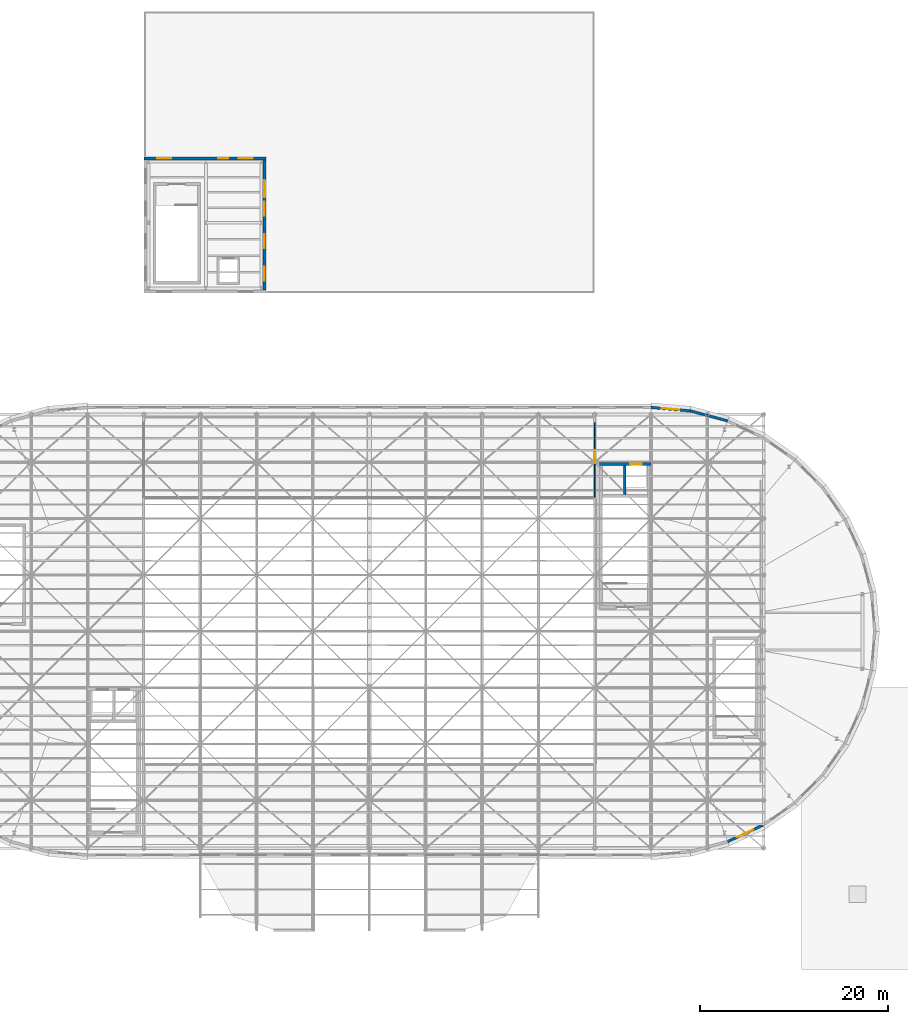
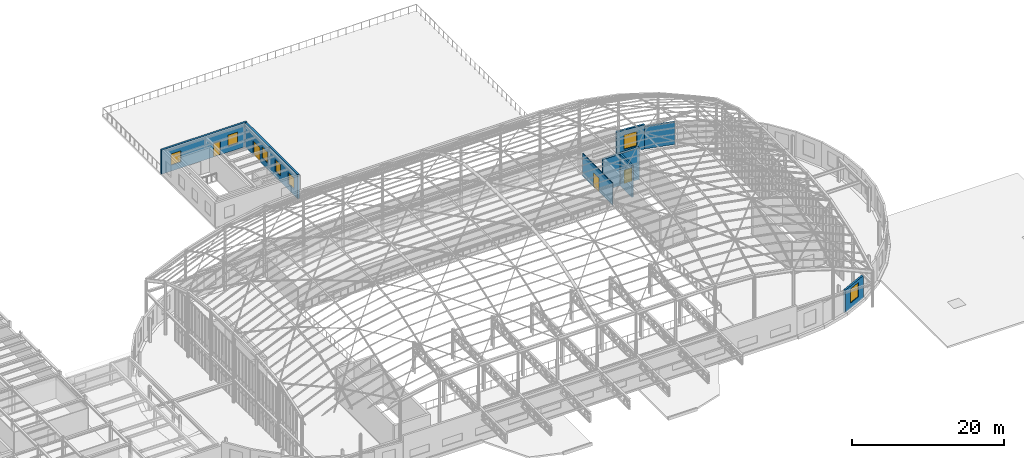
# One storey, part 66 of 75: 8 walls, 7 windows, 4 doors, 11 openings.
"""IFC4 building model written with IfcOpenShell, lengths in metres."""

from ifc_helpers import new_model, si_unit, direction, frame, frame_2d, origin, place, context, subcontext, project, spatial, rectangle, extrude, material, layer, layer_set, type_object, element, fill, save


model = new_model("IFC4")

# Units and contexts
model_context = context("Model", 3, precision=1e-05, world=origin(), true_north=direction((0.0, 1.0)))
body_context = subcontext(model_context, "Body", "Model", "MODEL_VIEW")
ifc_project = project(units=[si_unit("LENGTHUNIT", "METRE"), si_unit("AREAUNIT", "SQUARE_METRE"), si_unit("VOLUMEUNIT", "CUBIC_METRE"), si_unit("PLANEANGLEUNIT", "RADIAN"), si_unit("MASSUNIT", "GRAM", prefix="KILO")], contexts=[model_context])

# Site, building, storey
site_placement = place(None, origin())
site = spatial("IfcSite", under=ifc_project, at=site_placement, CompositionType="ELEMENT")
building_placement = place(site_placement, origin())
building = spatial("IfcBuilding", under=site, at=building_placement, Name="Kolvaren Corner Interchange", CompositionType="ELEMENT")
storey_placement = place(building_placement, frame((0.0, 0.0, 10.5)))
storey = spatial("IfcBuildingStorey", under=building, at=storey_placement, Name="L03", CompositionType="ELEMENT", Elevation=10.5)

# Wall, opening, door
ifc_material_1 = material(Name="Concrete C35/45", Category="concrete")
ifc_layer_1 = layer(ifc_material_1, 0.35009765625)
ifc_layer_set_1 = layer_set([ifc_layer_1], Name="Concrete C35/45")
wall_type_1 = type_object("IfcWallType", Name="WL-CORE-350", PredefinedType="SHEAR", material=ifc_layer_set_1)
wall_1_placement = place(storey_placement, frame((114.5, 65.824951171875, 0.0), z_axis=(0.0, 0.0, 1.0), x_axis=(1.0, 0.0, 0.0)))
wall_1 = element("IfcWall", 1, at=wall_1_placement, inside=storey, type_object=wall_type_1, Name="Core C4 L03 North Shear Wall", PredefinedType="SHEAR", context=body_context, shape_type="SweptSolid", body=[
    extrude(rectangle(XDim=5.5, YDim=0.35009765625, at=frame_2d((2.75, 0.0))), origin(), (0.0, 0.0, 1.0), 5.10009765625),
])
opening_1_placement = place(wall_1_placement, frame((3.2900390625, 0.0, 0.0)))
opening_1 = element("IfcOpeningElement", 2, at=opening_1_placement, cuts=wall_1, Name="Opening LD-LF-P2-L03", PredefinedType="OPENING", context=body_context, shape_type="SweptSolid", body=[
    extrude(rectangle(XDim=1.219970703125, YDim=2.14990234375, at=frame_2d((0.60986328125, 1.074951171875))), frame((0.0, 0.18505859375, 0.0), z_axis=(0.0, -1.0, 0.0), x_axis=(1.0, 0.0, 0.0)), (0.0, 0.0, 1.0), 0.3701171875),
])
ifc_material_2 = material(Name="Brushed Stainless Steel Landing Door", Category="steel")
door_type_1 = type_object("IfcDoorType", Name="DT-LIFT-1220", OperationType="NOTDEFINED", PredefinedType="DOOR", material=ifc_material_2)
door_1_placement = place(opening_1_placement, origin())
door_1 = element("IfcDoor", 3, at=door_1_placement, inside=storey, type_object=door_type_1, Name="Passenger Lift LF P2 L03 Sliding Landing Door", OperationType="DOUBLE_DOOR_SLIDING", OverallHeight=2.14990234375, OverallWidth=1.219970703125, PredefinedType="DOOR", context=body_context, shape_type="SweptSolid", body=[
    extrude(rectangle(XDim=1.219970703125, YDim=2.14990234375, at=frame_2d((0.60986328125, 1.074951171875))), frame((0.0, 0.02490234375, 0.0), z_axis=(0.0, -1.0, 0.0), x_axis=(1.0, 0.0, 0.0)), (0.0, 0.0, 1.0), 0.050048828125),
])
fill(opening_1, door_1)

# Wall, openings, door, windows
ifc_material_3 = material(Name="Ochre Architectural Terracotta Rainscreen Assembly", Category="masonry")
ifc_layer_2 = layer(ifc_material_3, 0.300048828125)
ifc_layer_set_2 = layer_set([ifc_layer_2], Name="Ochre Architectural Terracotta Rainscreen Assembly")
wall_type_2 = type_object("IfcWallType", Name="WT-EXT-OCH300", PredefinedType="SOLIDWALL", material=ifc_layer_set_2)
wall_2_placement = place(storey_placement, frame((78.840087890625, 84.320068359375, 0.0), z_axis=(0.0, 0.0, 1.0), x_axis=(0.0, 1.0, 0.0)))
wall_2 = element("IfcWall", 4, at=wall_2_placement, inside=storey, type_object=wall_type_2, Name="Cycle Roof Pavilion East Terrace Wall Wall 0187", PredefinedType="SOLIDWALL", context=body_context, shape_type="SweptSolid", body=[
    extrude(rectangle(XDim=13.85986328125, YDim=0.300048828125, at=frame_2d((6.929931640625, 0.0))), origin(), (0.0, 0.0, 1.0), 3.8798828125),
])
opening_2_placement = place(wall_2_placement, frame((9.8857421875, 0.0, 0.0)))
opening_2 = element("IfcOpeningElement", 5, at=opening_2_placement, cuts=wall_2, Name="Opening D-E04", PredefinedType="OPENING", context=body_context, shape_type="SweptSolid", body=[
    extrude(rectangle(XDim=1.85009765625, YDim=2.25, at=frame_2d((0.925048828125, 1.125))), frame((0.0, 0.159912109375, 0.0), z_axis=(0.0, -1.0, 0.0), x_axis=(1.0, 0.0, 0.0)), (0.0, 0.0, 1.0), 0.320068359375),
])
opening_3_placement = place(wall_2_placement, frame((0.982421875, 0.0, 0.949951171875)))
opening_3 = element("IfcOpeningElement", 6, at=opening_3_placement, cuts=wall_2, Name="Opening W-07", PredefinedType="OPENING", context=body_context, shape_type="SweptSolid", body=[
    extrude(rectangle(XDim=1.5, YDim=1.800048828125, at=frame_2d((0.75, 0.89990234375))), frame((0.0, 0.159912109375, 0.0), z_axis=(0.0, -1.0, 0.0), x_axis=(1.0, 0.0, 0.0)), (0.0, 0.0, 1.0), 0.320068359375),
])
opening_4_placement = place(wall_2_placement, frame((4.447509765625, 0.0, 0.949951171875)))
opening_4 = element("IfcOpeningElement", 7, at=opening_4_placement, cuts=wall_2, Name="Opening W-07", PredefinedType="OPENING", context=body_context, shape_type="SweptSolid", body=[
    extrude(rectangle(XDim=1.5, YDim=1.800048828125, at=frame_2d((0.75, 0.89990234375))), frame((0.0, 0.159912109375, 0.0), z_axis=(0.0, -1.0, 0.0), x_axis=(1.0, 0.0, 0.0)), (0.0, 0.0, 1.0), 0.320068359375),
])
opening_5_placement = place(wall_2_placement, frame((7.91259765625, 0.0, 0.949951171875)))
opening_5 = element("IfcOpeningElement", 8, at=opening_5_placement, cuts=wall_2, Name="Opening W-07", PredefinedType="OPENING", context=body_context, shape_type="SweptSolid", body=[
    extrude(rectangle(XDim=1.5, YDim=1.800048828125, at=frame_2d((0.75, 0.89990234375))), frame((0.0, 0.159912109375, 0.0), z_axis=(0.0, -1.0, 0.0), x_axis=(1.0, 0.0, 0.0)), (0.0, 0.0, 1.0), 0.320068359375),
])
ifc_material_4 = material(Name="Thermally Broken Aluminium Glazed Terrace Door", Category="aluminium")
door_type_2 = type_object("IfcDoorType", Name="DT-TERR-DBL1850", OperationType="NOTDEFINED", PredefinedType="DOOR", material=ifc_material_4)
door_2_placement = place(opening_2_placement, origin())
door_2 = element("IfcDoor", 9, at=door_2_placement, inside=storey, type_object=door_type_2, Name="L03 Cycle Roof Garden East Door 032", OperationType="DOUBLE_DOOR_SINGLE_SWING", OverallHeight=2.25, OverallWidth=1.85009765625, PredefinedType="DOOR", context=body_context, shape_type="SweptSolid", body=[
    extrude(rectangle(XDim=1.85009765625, YDim=2.25, at=frame_2d((0.925048828125, 1.125))), frame((0.0, 0.02490234375, 0.0), z_axis=(0.0, -1.0, 0.0), x_axis=(1.0, 0.0, 0.0)), (0.0, 0.0, 1.0), 0.050048828125),
])
fill(opening_2, door_2)
ifc_material_5 = material(Name="Thermally Broken Aluminium and Solar-Control Double Glazing", Category="aluminium")
window_type_1 = type_object("IfcWindowType", Name="WT-CYC-1500x1800", PartitioningType="SINGLE_PANEL", PredefinedType="WINDOW", material=ifc_material_5)
window_1_placement = place(opening_3_placement, origin())
window_1 = element("IfcWindow", 10, at=window_1_placement, inside=storey, type_object=window_type_1, Name="L03 Cycle Roof Pavilion East Terrace Wall Window 0295", OverallHeight=1.800048828125, OverallWidth=1.5, PartitioningType="SINGLE_PANEL", PredefinedType="WINDOW", context=body_context, shape_type="SweptSolid", body=[
    extrude(rectangle(XDim=1.5, YDim=1.800048828125, at=frame_2d((0.75, 0.89990234375))), frame((0.0, 0.030029296875, 0.0), z_axis=(0.0, -1.0, 0.0), x_axis=(1.0, 0.0, 0.0)), (0.0, 0.0, 1.0), 0.06005859375),
])
fill(opening_3, window_1)
window_2_placement = place(opening_4_placement, origin())
window_2 = element("IfcWindow", 11, at=window_2_placement, inside=storey, type_object=window_type_1, Name="L03 Cycle Roof Pavilion East Terrace Wall Window 0296", OverallHeight=1.800048828125, OverallWidth=1.5, PartitioningType="SINGLE_PANEL", PredefinedType="WINDOW", context=body_context, shape_type="SweptSolid", body=[
    extrude(rectangle(XDim=1.5, YDim=1.800048828125, at=frame_2d((0.75, 0.89990234375))), frame((0.0, 0.030029296875, 0.0), z_axis=(0.0, -1.0, 0.0), x_axis=(1.0, 0.0, 0.0)), (0.0, 0.0, 1.0), 0.06005859375),
])
fill(opening_4, window_2)
window_3_placement = place(opening_5_placement, origin())
window_3 = element("IfcWindow", 12, at=window_3_placement, inside=storey, type_object=window_type_1, Name="L03 Cycle Roof Pavilion East Terrace Wall Window 0297", OverallHeight=1.800048828125, OverallWidth=1.5, PartitioningType="SINGLE_PANEL", PredefinedType="WINDOW", context=body_context, shape_type="SweptSolid", body=[
    extrude(rectangle(XDim=1.5, YDim=1.800048828125, at=frame_2d((0.75, 0.89990234375))), frame((0.0, 0.030029296875, 0.0), z_axis=(0.0, -1.0, 0.0), x_axis=(1.0, 0.0, 0.0)), (0.0, 0.0, 1.0), 0.06005859375),
])
fill(opening_5, window_3)

wall_3_placement = place(storey_placement, frame((79.0, 98.340087890625, 0.0), z_axis=(0.0, 0.0, 1.0), x_axis=(-1.0, 0.0, 0.0)))
wall_3 = element("IfcWall", 13, at=wall_3_placement, inside=storey, type_object=wall_type_2, Name="Cycle Roof Pavilion North Terrace Wall Wall 0188", PredefinedType="SOLIDWALL", context=body_context, shape_type="SweptSolid", body=[
    extrude(rectangle(XDim=13.0, YDim=0.300048828125, at=frame_2d((6.5, 0.0))), origin(), (0.0, 0.0, 1.0), 3.8798828125),
])
opening_6_placement = place(wall_3_placement, frame((4.010009765625, 0.0, 0.0)))
opening_6 = element("IfcOpeningElement", 14, at=opening_6_placement, cuts=wall_3, Name="Opening D-E05", PredefinedType="OPENING", context=body_context, shape_type="SweptSolid", body=[
    extrude(rectangle(XDim=1.080078125, YDim=2.199951171875, at=frame_2d((0.5400390625, 1.10009765625))), frame((0.0, 0.159912109375, 0.0), z_axis=(0.0, -1.0, 0.0), x_axis=(1.0, 0.0, 0.0)), (0.0, 0.0, 1.0), 0.320068359375),
])
opening_7_placement = place(wall_3_placement, frame((1.416748046875, 0.0, 0.949951171875)))
opening_7 = element("IfcOpeningElement", 15, at=opening_7_placement, cuts=wall_3, Name="Opening W-07", PredefinedType="OPENING", context=body_context, shape_type="SweptSolid", body=[
    extrude(rectangle(XDim=1.5, YDim=1.800048828125, at=frame_2d((0.75, 0.89990234375))), frame((0.0, 0.159912109375, 0.0), z_axis=(0.0, -1.0, 0.0), x_axis=(1.0, 0.0, 0.0)), (0.0, 0.0, 1.0), 0.320068359375),
])
opening_8_placement = place(wall_3_placement, frame((10.083251953125, 0.0, 0.949951171875)))
opening_8 = element("IfcOpeningElement", 16, at=opening_8_placement, cuts=wall_3, Name="Opening W-07", PredefinedType="OPENING", context=body_context, shape_type="SweptSolid", body=[
    extrude(rectangle(XDim=1.5, YDim=1.800048828125, at=frame_2d((0.75, 0.89990234375))), frame((0.0, 0.159912109375, 0.0), z_axis=(0.0, -1.0, 0.0), x_axis=(1.0, 0.0, 0.0)), (0.0, 0.0, 1.0), 0.320068359375),
])
ifc_material_6 = material(Name="Thermally Broken Aluminium Glazed Terrace Door", Category="aluminium")
door_type_3 = type_object("IfcDoorType", Name="DT-TERR-SGL1080", OperationType="NOTDEFINED", PredefinedType="DOOR", material=ifc_material_6)
door_3_placement = place(opening_6_placement, origin())
door_3 = element("IfcDoor", 17, at=door_3_placement, inside=storey, type_object=door_type_3, Name="L03 Cycle Roof Garden North Door 033", OperationType="SINGLE_SWING_RIGHT", OverallHeight=2.199951171875, OverallWidth=1.080078125, PredefinedType="DOOR", context=body_context, shape_type="SweptSolid", body=[
    extrude(rectangle(XDim=1.080078125, YDim=2.199951171875, at=frame_2d((0.5400390625, 1.10009765625))), frame((0.0, 0.02490234375, 0.0), z_axis=(0.0, -1.0, 0.0), x_axis=(1.0, 0.0, 0.0)), (0.0, 0.0, 1.0), 0.050048828125),
])
fill(opening_6, door_3)
window_4_placement = place(opening_7_placement, origin())
window_4 = element("IfcWindow", 18, at=window_4_placement, inside=storey, type_object=window_type_1, Name="L03 Cycle Roof Pavilion North Terrace Wall Window 0298", OverallHeight=1.800048828125, OverallWidth=1.5, PartitioningType="SINGLE_PANEL", PredefinedType="WINDOW", context=body_context, shape_type="SweptSolid", body=[
    extrude(rectangle(XDim=1.5, YDim=1.800048828125, at=frame_2d((0.75, 0.89990234375))), frame((0.0, 0.030029296875, 0.0), z_axis=(0.0, -1.0, 0.0), x_axis=(1.0, 0.0, 0.0)), (0.0, 0.0, 1.0), 0.06005859375),
])
fill(opening_7, window_4)
window_5_placement = place(opening_8_placement, origin())
window_5 = element("IfcWindow", 19, at=window_5_placement, inside=storey, type_object=window_type_1, Name="L03 Cycle Roof Pavilion North Terrace Wall Window 0299", OverallHeight=1.800048828125, OverallWidth=1.5, PartitioningType="SINGLE_PANEL", PredefinedType="WINDOW", context=body_context, shape_type="SweptSolid", body=[
    extrude(rectangle(XDim=1.5, YDim=1.800048828125, at=frame_2d((0.75, 0.89990234375))), frame((0.0, 0.030029296875, 0.0), z_axis=(0.0, -1.0, 0.0), x_axis=(1.0, 0.0, 0.0)), (0.0, 0.0, 1.0), 0.06005859375),
])
fill(opening_8, window_5)

# Wall, opening, window
ifc_material_7 = material(Name="White Glazed Ceramic Terracotta Band Assembly", Category="masonry")
ifc_layer_3 = layer(ifc_material_7, 0.280029296875)
ifc_layer_set_3 = layer_set([ifc_layer_3], Name="White Glazed Ceramic Terracotta Band Assembly")
wall_type_3 = type_object("IfcWallType", Name="WT-EXT-WHT280", PredefinedType="SOLIDWALL", material=ifc_layer_set_3)
wall_4_placement = place(storey_placement, frame((128.15380859375, 25.59765625, 0.0), z_axis=(0.0, 0.0, 1.0), x_axis=(0.906291177731, 0.422653878685, 0.0)))
wall_4 = element("IfcWall", 20, at=wall_4_placement, inside=storey, type_object=wall_type_3, Name="Racetrack East Curved Drum Chord 03 Wall 0133", PredefinedType="SOLIDWALL", context=body_context, shape_type="SweptSolid", body=[
    extrude(rectangle(XDim=4.155517578125, YDim=0.280029296875, at=frame_2d((2.07763671875, 0.0))), origin(), (0.0, 0.0, 1.0), 3.625),
])
opening_9_placement = place(wall_4_placement, frame((1.127685546875, 0.0, 0.85009765625)))
opening_9 = element("IfcOpeningElement", 21, at=opening_9_placement, cuts=wall_4, Name="Opening W-05", PredefinedType="OPENING", context=body_context, shape_type="SweptSolid", body=[
    extrude(rectangle(XDim=1.89990234375, YDim=2.300048828125, at=frame_2d((0.949951171875, 1.14990234375))), frame((0.0, 0.14990234375, 0.0), z_axis=(0.0, -1.0, 0.0), x_axis=(1.0, 0.0, 0.0)), (0.0, 0.0, 1.0), 0.300048828125),
])
ifc_material_8 = material(Name="Thermally Broken Aluminium and Solar-Control Double Glazing", Category="aluminium")
window_type_2 = type_object("IfcWindowType", Name="WT-ARC-1900x2300", PartitioningType="DOUBLE_PANEL_VERTICAL", PredefinedType="WINDOW", material=ifc_material_8)
window_6_placement = place(opening_9_placement, origin())
window_6 = element("IfcWindow", 22, at=window_6_placement, inside=storey, type_object=window_type_2, Name="L03 Racetrack East Curved Drum Chord 03 Window 0197", OverallHeight=2.300048828125, OverallWidth=1.89990234375, PartitioningType="SINGLE_PANEL", PredefinedType="WINDOW", context=body_context, shape_type="SweptSolid", body=[
    extrude(rectangle(XDim=1.89990234375, YDim=2.300048828125, at=frame_2d((0.949951171875, 1.14990234375))), frame((0.0, 0.030029296875, 0.0), z_axis=(0.0, -1.0, 0.0), x_axis=(1.0, 0.0, 0.0)), (0.0, 0.0, 1.0), 0.06005859375),
])
fill(opening_9, window_6)

# Wall
wall_5_placement = place(storey_placement, frame((128.15380859375, 70.40234375, 0.0), z_axis=(0.0, 0.0, 1.0), x_axis=(-0.965931006096, 0.258799713026, 0.0)))
element("IfcWall", 23, at=wall_5_placement, inside=storey, type_object=wall_type_3, Name="Racetrack East Curved Drum Chord 17 Wall 0147", PredefinedType="SOLIDWALL", context=body_context, shape_type="SweptSolid", body=[
    extrude(rectangle(XDim=4.155517578125, YDim=0.280029296875, at=frame_2d((2.07763671875, 0.0))), origin(), (0.0, 0.0, 1.0), 3.5849609375),
])

# Wall, opening, window
wall_6_placement = place(storey_placement, frame((124.139892578125, 71.477783203125, 0.0), z_axis=(0.0, 0.0, 1.0), x_axis=(-0.99619237826, 0.087182254487, 0.0)))
wall_6 = element("IfcWall", 24, at=wall_6_placement, inside=storey, type_object=wall_type_3, Name="Racetrack East Curved Drum Chord 18 Wall 0148", PredefinedType="SOLIDWALL", context=body_context, shape_type="SweptSolid", body=[
    extrude(rectangle(XDim=4.15576171875, YDim=0.280029296875, at=frame_2d((2.077880859375, 0.0))), origin(), (0.0, 0.0, 1.0), 3.949951171875),
])
opening_10_placement = place(wall_6_placement, frame((1.127685546875, 0.0, 0.85009765625)))
opening_10 = element("IfcOpeningElement", 25, at=opening_10_placement, cuts=wall_6, Name="Opening W-05", PredefinedType="OPENING", context=body_context, shape_type="SweptSolid", body=[
    extrude(rectangle(XDim=1.89990234375, YDim=2.300048828125, at=frame_2d((0.949951171875, 1.14990234375))), frame((0.0, 0.14990234375, 0.0), z_axis=(0.0, -1.0, 0.0), x_axis=(1.0, 0.0, 0.0)), (0.0, 0.0, 1.0), 0.300048828125),
])
window_7_placement = place(opening_10_placement, origin())
window_7 = element("IfcWindow", 26, at=window_7_placement, inside=storey, type_object=window_type_2, Name="L03 Racetrack East Curved Drum Chord 18 Window 0211", OverallHeight=2.300048828125, OverallWidth=1.89990234375, PartitioningType="SINGLE_PANEL", PredefinedType="WINDOW", context=body_context, shape_type="SweptSolid", body=[
    extrude(rectangle(XDim=1.89990234375, YDim=2.300048828125, at=frame_2d((0.949951171875, 1.14990234375))), frame((0.0, 0.030029296875, 0.0), z_axis=(0.0, -1.0, 0.0), x_axis=(1.0, 0.0, 0.0)), (0.0, 0.0, 1.0), 0.06005859375),
])
fill(opening_10, window_7)

# Wall, opening, door
ifc_material_9 = material(Name="Framed Acoustic Glazed Office Screen")
ifc_layer_4 = layer(ifc_material_9, 0.10009765625)
ifc_layer_set_4 = layer_set([ifc_layer_4], Name="Framed Acoustic Glazed Office Screen")
wall_type_4 = type_object("IfcWallType", Name="WT-PART-GL100", PredefinedType="MOVABLE", material=ifc_layer_set_4)
wall_7_placement = place(storey_placement, frame((114.0, 62.25, 0.0), z_axis=(0.0, 0.0, 1.0), x_axis=(0.0, 1.0, 0.0)))
wall_7 = element("IfcWall", 27, at=wall_7_placement, inside=storey, type_object=wall_type_4, Name="L03 North Sky Lounge Suite Partition Wall 120", PredefinedType="MOVABLE", context=body_context, shape_type="SweptSolid", body=[
    extrude(rectangle(XDim=7.93994140625, YDim=0.10009765625, at=frame_2d((3.969970703125, 0.0))), origin(), (0.0, 0.0, 1.0), 3.580078125),
])
opening_11_placement = place(wall_7_placement, frame((3.6201171875, 0.0, 0.0)))
opening_11 = element("IfcOpeningElement", 28, at=opening_11_placement, cuts=wall_7, Name="Opening D-I06", PredefinedType="OPENING", context=body_context, shape_type="SweptSolid", body=[
    extrude(rectangle(XDim=1.39990234375, YDim=2.199951171875, at=frame_2d((0.699951171875, 1.10009765625))), frame((0.0, 0.06005859375, 0.0), z_axis=(0.0, -1.0, 0.0), x_axis=(1.0, 0.0, 0.0)), (0.0, 0.0, 1.0), 0.1201171875),
])
ifc_material_10 = material(Name="Anodised Aluminium Glazed Suite Door", Category="aluminium")
door_type_4 = type_object("IfcDoorType", Name="DT-INT-1400x2200", OperationType="NOTDEFINED", PredefinedType="DOOR", material=ifc_material_10)
door_4_placement = place(opening_11_placement, origin())
door_4 = element("IfcDoor", 29, at=door_4_placement, inside=storey, type_object=door_type_4, Name="L03 North Sky Lounge Suite Door", OperationType="DOUBLE_DOOR_SINGLE_SWING", OverallHeight=2.199951171875, OverallWidth=1.39990234375, PredefinedType="DOOR", context=body_context, shape_type="SweptSolid", body=[
    extrude(rectangle(XDim=1.39990234375, YDim=2.199951171875, at=frame_2d((0.699951171875, 1.10009765625))), frame((0.0, 0.02490234375, 0.0), z_axis=(0.0, -1.0, 0.0), x_axis=(1.0, 0.0, 0.0)), (0.0, 0.0, 1.0), 0.050048828125),
])
fill(opening_11, door_4)

# Wall
ifc_material_11 = material(Name="Concrete C35/45", Category="concrete")
ifc_layer_5 = layer(ifc_material_11, 0.25)
ifc_layer_set_5 = layer_set([ifc_layer_5], Name="Concrete C35/45")
wall_type_5 = type_object("IfcWallType", Name="WT-SHAFT-RC250", PredefinedType="SHEAR", material=ifc_layer_set_5)
wall_8_placement = place(storey_placement, frame((117.199951171875, 62.554931640625, 0.0), z_axis=(0.0, 0.0, 1.0), x_axis=(0.0, 1.0, 0.0)))
element("IfcWall", 30, at=wall_8_placement, inside=storey, type_object=wall_type_5, Name="Core L03 C4 Passenger Lift Side Wall", PredefinedType="SHEAR", context=body_context, shape_type="SweptSolid", body=[
    extrude(rectangle(XDim=3.094970703125, YDim=0.25, at=frame_2d((1.54736328125, 0.0))), origin(), (0.0, 0.0, 1.0), 5.10009765625),
])

save(model, "model.ifc")
